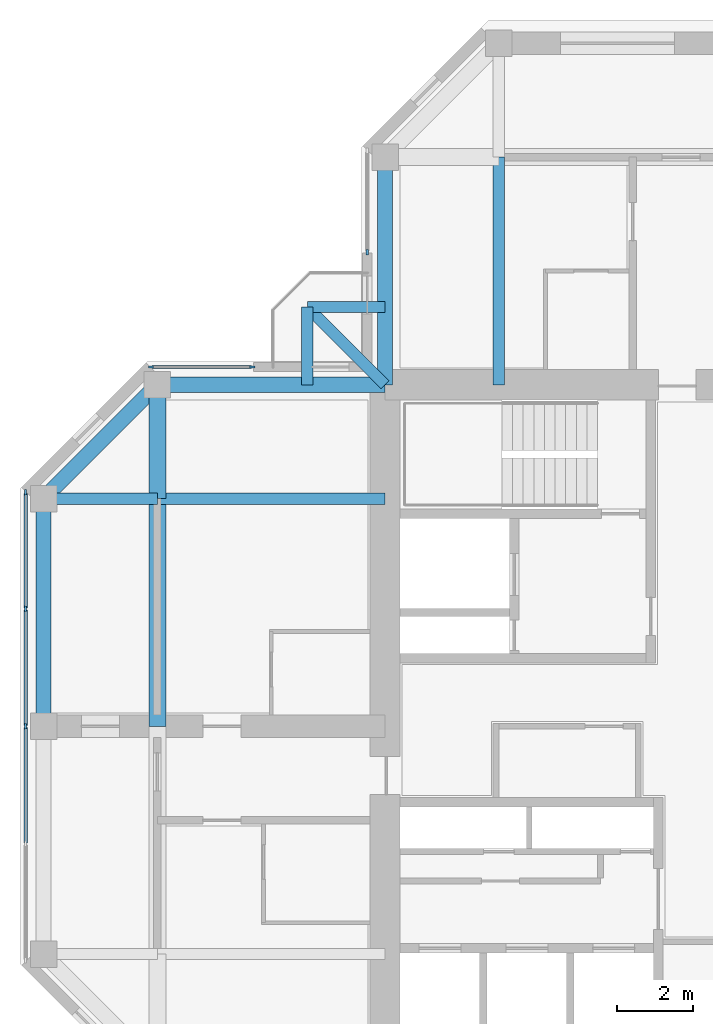
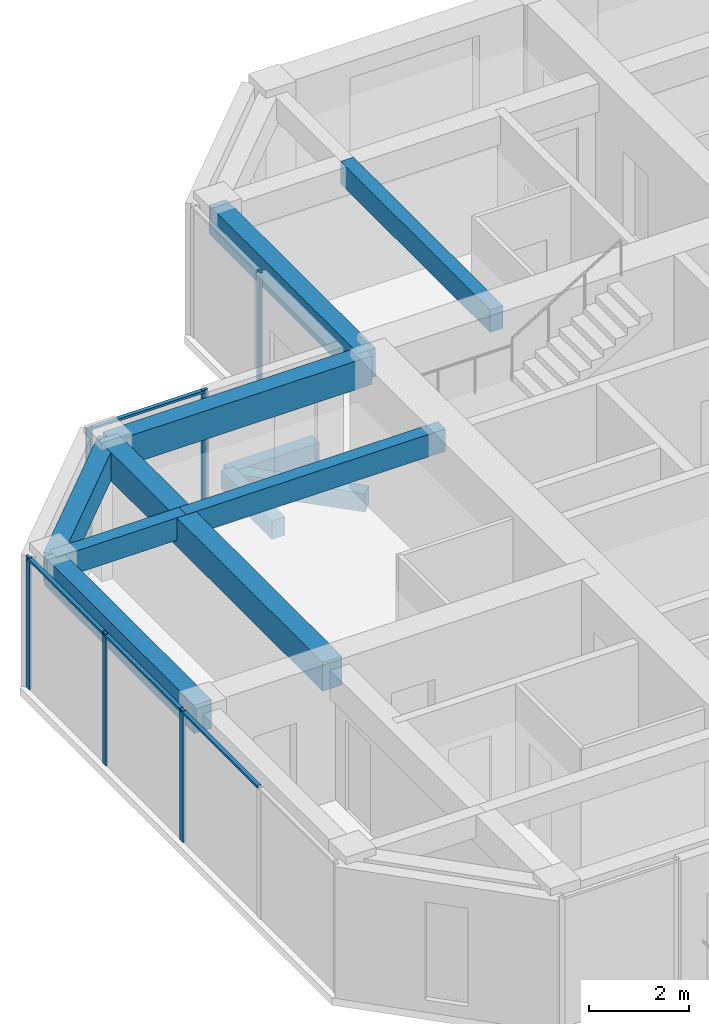
# One storey, part 4 of 13: 12 beams, 10 members, 3 elements without a shape of their own.
"""IFC4 building model written with IfcOpenShell, lengths in metres."""

import ifcopenshell
import ifcopenshell.guid

model = None  # the IFC model being written
_history = None  # IfcOwnerHistory: only IFC2X3 demands one
_inside = {}  # id of a spatial element -> (the spatial element, [elements in it])
_under = {}  # id of a project, library or spatial element -> (it, [spatial elements below it])
_declared = {}  # id of a project -> (the project, [libraries it declares])
_typed = {}  # id of a type object -> (the type object, [elements of that type])
_made_of = {}  # id of a material, layer set ... -> (it, [elements and type objects made of it])


def new_model(schema):
    """Start an empty IFC model of exactly this schema.

    Asked for "IFC4X3", IfcOpenShell would pick the latest addendum, in which some entities
    have other attributes; the version numbers below select the first issue.
    IFC2X3 requires an IfcOwnerHistory on every rooted entity: one is made here for all.
    """
    global model, _history
    if schema == "IFC4X3":
        model = ifcopenshell.file(schema_version=(4, 3, 0, 0))
    else:
        model = ifcopenshell.file(schema=schema)
    _inside.clear()
    _under.clear()
    _declared.clear()
    _typed.clear()
    _made_of.clear()
    _history = None
    if model.schema == "IFC2X3":
        org = make("IfcOrganization", Name="unknown")
        user = make(
            "IfcPersonAndOrganization",
            ThePerson=make("IfcPerson", FamilyName="unknown"),
            TheOrganization=org,
        )
        app = make(
            "IfcApplication",
            ApplicationDeveloper=org,
            Version="unknown",
            ApplicationFullName="unknown",
            ApplicationIdentifier="unknown",
        )
        _history = make(
            "IfcOwnerHistory",
            OwningUser=user,
            OwningApplication=app,
            ChangeAction="ADDED",
            CreationDate=0,
        )
    return model


def make(cls, **values):
    """One entity of the class cls with the attributes given. An attribute that is None is left unset."""
    return model.create_entity(
        cls, **{name: value for name, value in values.items() if value is not None}
    )


def rooted(cls, **values):
    """An entity with a GlobalId (a new one), such as an element, a storey or a relation."""
    return make(cls, GlobalId=ifcopenshell.guid.new(), OwnerHistory=_history, **values)


def si_unit(unit_type, name, prefix=None):
    """IfcSIUnit, for example si_unit("LENGTHUNIT", "METRE", prefix="MILLI")."""
    return make("IfcSIUnit", UnitType=unit_type, Prefix=prefix, Name=name)


def assignment(units):
    """IfcUnitAssignment: the units of a project."""
    return None if units is None else make("IfcUnitAssignment", Units=units)


def point(xyz):
    """IfcCartesianPoint."""
    return None if xyz is None else make("IfcCartesianPoint", Coordinates=xyz)


def direction(xyz):
    """IfcDirection."""
    return None if xyz is None else make("IfcDirection", DirectionRatios=xyz)


def frame(location, z_axis=None, x_axis=None):
    """IfcAxis2Placement3D, a coordinate frame: its origin and axes. An axis left out is left unset."""
    return make(
        "IfcAxis2Placement3D",
        Location=point(location),
        Axis=direction(z_axis),
        RefDirection=direction(x_axis),
    )


def frame_2d(location, x_axis=None):
    """IfcAxis2Placement2D, a coordinate frame in the plane: its origin and x axis."""
    return make(
        "IfcAxis2Placement2D", Location=point(location), RefDirection=direction(x_axis)
    )


def origin():
    """The frame at (0, 0, 0) with its axes left unset."""
    return frame((0.0, 0.0, 0.0))


def origin_2d():
    """The frame at (0, 0) in the plane with its x axis left unset."""
    return frame_2d((0.0, 0.0))


def place(relative_to, where):
    """IfcLocalPlacement: puts the frame where relative to a parent placement (None: the world)."""
    return make(
        "IfcLocalPlacement", PlacementRelTo=relative_to, RelativePlacement=where
    )


def context(
    kind, dimensions, precision=None, world=None, true_north=None, identifier=None
):
    """IfcGeometricRepresentationContext, for example the 3D "Model" context."""
    return make(
        "IfcGeometricRepresentationContext",
        ContextIdentifier=identifier,
        ContextType=kind,
        CoordinateSpaceDimension=dimensions,
        Precision=precision,
        WorldCoordinateSystem=world,
        TrueNorth=true_north,
    )


def subcontext(parent, identifier, kind, view, scale=None):
    """IfcGeometricRepresentationSubContext, for example "Body" below "Model"."""
    return make(
        "IfcGeometricRepresentationSubContext",
        ContextIdentifier=identifier,
        ContextType=kind,
        ParentContext=parent,
        TargetScale=scale,
        TargetView=view,
    )


def project(units=None, contexts=None):
    """IfcProject with its units and contexts."""
    return rooted(
        "IfcProject",
        Name="project",
        RepresentationContexts=contexts,
        UnitsInContext=assignment(units),
    )


def spatial(cls, under=None, at=None, **own):
    """A site, building, storey or space (cls), placed at a placement, below another one or the project."""
    s = rooted(cls, ObjectPlacement=at, **own)
    if under is not None:
        _under.setdefault(under.id(), (under, []))[1].append(s)
    return s


def profile(cls, at=None, kind="AREA", **sizes):
    """A parametric profile (cls). Its sizes go by their IFC names, for example OverallWidth=200.0."""
    return make(cls, ProfileType=kind, Position=at, **sizes)


def rectangle(**sizes):
    """IfcRectangleProfileDef."""
    return profile("IfcRectangleProfileDef", **sizes)


def extrude(swept, where, along, depth):
    """IfcExtrudedAreaSolid: the profile swept, set in the frame where, extruded along a direction by depth."""
    return make(
        "IfcExtrudedAreaSolid",
        SweptArea=swept,
        Position=where,
        ExtrudedDirection=direction(along),
        Depth=depth,
    )


def shape(context_of_items, identifier, shape_type, items):
    """IfcShapeRepresentation: the items that make up one representation, for example the "Body"."""
    return make(
        "IfcShapeRepresentation",
        ContextOfItems=context_of_items,
        RepresentationIdentifier=identifier,
        RepresentationType=shape_type,
        Items=items,
    )


def material(Name=None, Category=None):
    """IfcMaterial."""
    return make("IfcMaterial", Name=Name, Category=Category)


def material_profile(
    of_material, cross_section, Name=None, Category=None, Priority=None
):
    """IfcMaterialProfile: a cross section and its material."""
    return make(
        "IfcMaterialProfile",
        Name=Name,
        Material=of_material,
        Profile=cross_section,
        Priority=Priority,
        Category=Category,
    )


def profile_set(profiles, Name=None, composite=None):
    """IfcMaterialProfileSet."""
    return make(
        "IfcMaterialProfileSet",
        Name=Name,
        MaterialProfiles=profiles,
        CompositeProfile=composite,
    )


def made_of(thing, what):
    """Note that an element or type object is made of a material, layer set ...; save() writes the relation."""
    if what is not None:
        _made_of.setdefault(what.id(), (what, []))[1].append(thing)
    return thing


def type_object(cls, material=None, **own):
    """A type object (cls), such as IfcWallType, which elements share."""
    return made_of(rooted(cls, **own), material)


def element(
    cls,
    number,
    at=None,
    inside=None,
    cuts=None,
    type_object=None,
    material=None,
    context=None,
    identifier="Body",
    shape_type=None,
    held_by="IfcProductDefinitionShape",
    body=None,
    shapes=None,
    **own,
):
    """One element of the class cls, such as IfcWall. Its Tag is "e" and its number.

    at: its placement. inside: the storey or other place that contains it. cuts: it is an
    opening in that element (IfcRelVoidsElement). A single representation is given by context,
    identifier, shape_type and body (its items); several are given by shapes. held_by: the class
    of the entity that holds the representations. save() writes the other relations.
    """
    e = rooted(cls, Tag="e%d" % number, ObjectPlacement=at, **own)
    if body is not None:
        shapes = [shape(context, identifier, shape_type, body)]
    if shapes is not None:
        e.Representation = make(held_by, Representations=shapes)
    if inside is not None:
        _inside.setdefault(inside.id(), (inside, []))[1].append(e)
    if cuts is not None:
        rooted(
            "IfcRelVoidsElement", RelatingBuildingElement=cuts, RelatedOpeningElement=e
        )
    if type_object is not None:
        _typed.setdefault(type_object.id(), (type_object, []))[1].append(e)
    return made_of(e, material)


def aggregate(whole, parts):
    """IfcRelAggregates: a whole, such as a stair, and the parts it consists of."""
    return rooted("IfcRelAggregates", RelatingObject=whole, RelatedObjects=parts)


def save(model, path):
    """Write the relations noted so far, then the file.

    IfcRelAggregates (storeys below a building ...), IfcRelContainedInSpatialStructure (elements
    in a storey), IfcRelDefinesByType, IfcRelAssociatesMaterial and IfcRelDeclares: one each for
    every whole, place, type object, material and project.
    """
    for whole, parts in _under.values():
        aggregate(whole, parts)
    for where, things in _inside.values():
        rooted(
            "IfcRelContainedInSpatialStructure",
            RelatedElements=things,
            RelatingStructure=where,
        )
    for kind, things in _typed.values():
        rooted("IfcRelDefinesByType", RelatedObjects=things, RelatingType=kind)
    for what, things in _made_of.values():
        rooted("IfcRelAssociatesMaterial", RelatedObjects=things, RelatingMaterial=what)
    for by, libraries in _declared.values():
        rooted("IfcRelDeclares", RelatingContext=by, RelatedDefinitions=libraries)
    model.write(path)


model = new_model("IFC4")

# Units and contexts
model_context = context("Model", 3, precision=1e-05, world=origin(), true_north=direction((0.0, 1.0)))
body_context = subcontext(model_context, "Body", "Model", "MODEL_VIEW")
ifc_project = project(units=[si_unit("LENGTHUNIT", "METRE"), si_unit("AREAUNIT", "SQUARE_METRE"), si_unit("VOLUMEUNIT", "CUBIC_METRE"), si_unit("PLANEANGLEUNIT", "RADIAN"), si_unit("MASSUNIT", "GRAM", prefix="KILO")], contexts=[model_context])

# Site, building, storey
site_placement = place(None, origin())
site = spatial("IfcSite", under=ifc_project, at=site_placement, CompositionType="ELEMENT")
building_placement = place(site_placement, origin())
building = spatial("IfcBuilding", under=site, at=building_placement, Name="Torre Cruceta", CompositionType="ELEMENT")
storey_placement = place(building_placement, frame((0.0, 0.0, 271.300048828125)))
storey = spatial("IfcBuildingStorey", under=building, at=storey_placement, Name="L70", CompositionType="ELEMENT", Elevation=271.300048828125)

# Beams
ifc_material_1 = material(Name="Concrete G60 (fck 60 MPa)", Category="concrete")
ifc_material_profile_1 = material_profile(ifc_material_1, rectangle(XDim=0.300048828125, YDim=0.449951171875, at=origin_2d()), Name="RC 300X450")
ifc_profile_set_1 = profile_set([ifc_material_profile_1], Name="Concrete G60 (fck 60 MPa)")
beam_type_1 = type_object("IfcBeamType", Name="BALCONY CANTILEVER BEAM RC 300X450", PredefinedType="BEAM", material=ifc_profile_set_1)
beam_1_placement = place(storey_placement, frame((-9.0, 9.0, -0.405029296875), z_axis=(-0.707106781187, 0.707106781187, 0.0), x_axis=(-0.707106781187, -0.707106781187, 0.0)))
element("IfcBeam", 1, at=beam_1_placement, inside=storey, type_object=beam_type_1, Name="BB1 balcony beam L70 N", PredefinedType="BEAM", context=body_context, shape_type="SweptSolid", body=[
    extrude(rectangle(XDim=0.300048828125, YDim=0.449951171875, at=origin_2d()), origin(), (0.0, 0.0, 1.0), 2.89990234375),
])
for number, where, z_axis, x_axis, name in (
    (2, (-11.050537109375, 9.0, -0.405029296875), (0.0, 1.0, 0.0), (-1.0, 0.0, 0.0), "BB1 balcony edge beam L70 N-X"),
    (3, (-9.0, 11.050537109375, -0.405029296875), (-1.0, 0.0, 0.0), (0.0, -1.0, 0.0), "BB1 balcony edge beam L70 N-Y"),
):
    element("IfcBeam", number, at=place(storey_placement, frame(where, z_axis=z_axis, x_axis=x_axis)), inside=storey, type_object=beam_type_1, Name=name, PredefinedType="BEAM", context=body_context, shape_type="SweptSolid", body=[
        extrude(rectangle(XDim=0.300048828125, YDim=0.449951171875, at=origin_2d()), origin(), (0.0, 0.0, 1.0), 2.050537109375),
    ])
ifc_material_2 = material(Name="Concrete G60 (fck 60 MPa)", Category="concrete")
ifc_material_profile_2 = material_profile(ifc_material_2, rectangle(XDim=0.300048828125, YDim=0.550048828125, at=origin_2d()), Name="RC 300X550")
ifc_profile_set_2 = profile_set([ifc_material_profile_2], Name="Concrete G60 (fck 60 MPa)")
beam_type_2 = type_object("IfcBeamType", Name="COLUMN LINE BEAM RC 300X550", PredefinedType="BEAM", material=ifc_profile_set_2)
for number, where, z_axis, x_axis, name in (
    (4, (-6.0, 9.0, 2.945068359375), (0.0, 1.0, 0.0), (-1.0, 0.0, 0.0), "LB10 L70 N col+ 1"),
    (5, (-9.0, 6.0, 2.945068359375), (-1.0, 0.0, 0.0), (0.0, -1.0, 0.0), "LB10 L70 W col- 1"),
):
    element("IfcBeam", number, at=place(storey_placement, frame(where, z_axis=z_axis, x_axis=x_axis)), inside=storey, type_object=beam_type_2, Name=name, PredefinedType="BEAM", context=body_context, shape_type="SweptSolid", body=[
        extrude(rectangle(XDim=0.300048828125, YDim=0.550048828125, at=origin_2d()), origin(), (0.0, 0.0, 1.0), 6.0),
    ])
beam_2_placement = place(storey_placement, frame((-15.0, 6.0, 2.945068359375), z_axis=(-1.0, 0.0, 0.0), x_axis=(0.0, -1.0, 0.0)))
element("IfcBeam", 6, at=beam_2_placement, inside=storey, type_object=beam_type_2, Name="LB10 L70 W col- 2", PredefinedType="BEAM", context=body_context, shape_type="SweptSolid", body=[
    extrude(rectangle(XDim=0.300048828125, YDim=0.550048828125, at=origin_2d()), origin(), (0.0, 0.0, 1.0), 3.0),
])
ifc_material_3 = material(Name="Concrete G60 (fck 60 MPa)", Category="concrete")
ifc_material_profile_3 = material_profile(ifc_material_3, rectangle(XDim=0.449951171875, YDim=0.699951171875, at=origin_2d()), Name="RC 450X700")
ifc_profile_set_3 = profile_set([ifc_material_profile_3], Name="Concrete G60 (fck 60 MPa)")
beam_type_3 = type_object("IfcBeamType", Name="CROSS BEAM RC 450X700", PredefinedType="BEAM", material=ifc_profile_set_3)
beam_3_placement = place(storey_placement, frame((-15.0, 9.0, 2.869873046875), z_axis=(0.0, -1.0, 0.0), x_axis=(1.0, 0.0, 0.0)))
element("IfcBeam", 7, at=beam_3_placement, inside=storey, type_object=beam_type_3, Name="GB8 L70 W cross15 1", PredefinedType="BEAM", context=body_context, shape_type="SweptSolid", body=[
    extrude(rectangle(XDim=0.449951171875, YDim=0.699951171875, at=origin_2d()), origin(), (0.0, 0.0, 1.0), 3.0),
])
beam_4_placement = place(storey_placement, frame((-15.0, 6.0, 2.869873046875), z_axis=(0.0, -1.0, 0.0), x_axis=(1.0, 0.0, 0.0)))
element("IfcBeam", 8, at=beam_4_placement, inside=storey, type_object=beam_type_3, Name="GB8 L70 W cross15 2", PredefinedType="BEAM", context=body_context, shape_type="SweptSolid", body=[
    extrude(rectangle(XDim=0.449951171875, YDim=0.699951171875, at=origin_2d()), origin(), (0.0, 0.0, 1.0), 6.0),
])

# Curtain wall, member
ifc_material_4 = material(Name="Aluminium unitised curtain wall", Category="aluminium")
curtain_wall_type = type_object("IfcCurtainWallType", Name="CURTAIN WALL CW-E CO-LIVING TOP", PredefinedType="USERDEFINED", material=ifc_material_4)
curtain_wall_1_placement = place(storey_placement, origin())
curtain_wall_1 = element("IfcCurtainWall", 9, at=curtain_wall_1_placement, inside=storey, type_object=curtain_wall_type, Name="CW-E L70 N side 09", ObjectType="UNITISED", PredefinedType="USERDEFINED")
ifc_material_5 = material(Name="Aluminium mullion", Category="aluminium")
ifc_material_profile_4 = material_profile(ifc_material_5, rectangle(XDim=0.054931640625, YDim=0.139892578125, at=origin_2d()), Name="AL 55X140")
ifc_profile_set_4 = profile_set([ifc_material_profile_4], Name="Aluminium mullion")
member_type_1 = type_object("IfcMemberType", Name="CW-E MULLION 55X140", PredefinedType="MULLION", material=ifc_profile_set_4)
member_1_placement = place(storey_placement, frame((-9.469970703125, 12.49755859375, 0.0), z_axis=(0.0, 0.0, 1.0), x_axis=(1.0, 0.0, 0.0)))
member_1 = element("IfcMember", 10, at=member_1_placement, type_object=member_type_1, Name="CW-E mullion 2", PredefinedType="MULLION", context=body_context, shape_type="SweptSolid", body=[
    extrude(rectangle(XDim=0.054931640625, YDim=0.139892578125, at=origin_2d()), origin(), (0.0, 0.0, 1.0), 3.219970703125),
])
aggregate(curtain_wall_1, [member_1])

# Curtain wall, members
curtain_wall_2_placement = place(storey_placement, origin())
curtain_wall_2 = element("IfcCurtainWall", 11, at=curtain_wall_2_placement, inside=storey, type_object=curtain_wall_type, Name="CW-E L70 W side 10", ObjectType="UNITISED", PredefinedType="USERDEFINED")
member_2_placement = place(storey_placement, frame((-12.49755859375, 9.469970703125, 0.0), z_axis=(0.0, 0.0, 1.0), x_axis=(0.0, -1.0, 0.0)))
member_2 = element("IfcMember", 12, at=member_2_placement, type_object=member_type_1, Name="CW-E mullion 1", PredefinedType="MULLION", context=body_context, shape_type="SweptSolid", body=[
    extrude(rectangle(XDim=0.054931640625, YDim=0.139892578125, at=origin_2d()), origin(), (0.0, 0.0, 1.0), 3.219970703125),
])
member_3_placement = place(storey_placement, frame((-15.167236328125, 9.469970703125, 0.0), z_axis=(0.0, 0.0, 1.0), x_axis=(0.0, -1.0, 0.0)))
member_3 = element("IfcMember", 13, at=member_3_placement, type_object=member_type_1, Name="CW-E mullion 2", PredefinedType="MULLION", context=body_context, shape_type="SweptSolid", body=[
    extrude(rectangle(XDim=0.054931640625, YDim=0.139892578125, at=origin_2d()), origin(), (0.0, 0.0, 1.0), 3.219970703125),
])

curtain_wall_3_placement = place(storey_placement, origin())
curtain_wall_3 = element("IfcCurtainWall", 14, at=curtain_wall_3_placement, inside=storey, type_object=curtain_wall_type, Name="CW-E L70 W tip 12", ObjectType="UNITISED", PredefinedType="USERDEFINED")
member_4_placement = place(storey_placement, frame((-18.469970703125, 6.167236328125, 0.0), z_axis=(0.0, 0.0, 1.0), x_axis=(1.0, 0.0, 0.0)))
member_4 = element("IfcMember", 15, at=member_4_placement, type_object=member_type_1, Name="CW-E mullion 1", PredefinedType="MULLION", context=body_context, shape_type="SweptSolid", body=[
    extrude(rectangle(XDim=0.054931640625, YDim=0.139892578125, at=origin_2d()), origin(), (0.0, 0.0, 1.0), 3.219970703125),
])
member_5_placement = place(storey_placement, frame((-18.469970703125, 3.097412109375, 0.0), z_axis=(0.0, 0.0, 1.0), x_axis=(1.0, 0.0, 0.0)))
member_5 = element("IfcMember", 16, at=member_5_placement, type_object=member_type_1, Name="CW-E mullion 2", PredefinedType="MULLION", context=body_context, shape_type="SweptSolid", body=[
    extrude(rectangle(XDim=0.054931640625, YDim=0.139892578125, at=origin_2d()), origin(), (0.0, 0.0, 1.0), 3.219970703125),
])
member_6_placement = place(storey_placement, frame((-18.469970703125, 0.0, 0.0), z_axis=(0.0, 0.0, 1.0), x_axis=(1.0, 0.0, 0.0)))
member_6 = element("IfcMember", 17, at=member_6_placement, type_object=member_type_1, Name="CW-E mullion 3", PredefinedType="MULLION", context=body_context, shape_type="SweptSolid", body=[
    extrude(rectangle(XDim=0.054931640625, YDim=0.139892578125, at=origin_2d()), origin(), (0.0, 0.0, 1.0), 3.219970703125),
])

# Member
ifc_material_6 = material(Name="Aluminium transom", Category="aluminium")
ifc_material_profile_5 = material_profile(ifc_material_6, rectangle(XDim=0.090087890625, YDim=0.054931640625, at=origin_2d()), Name="AL 90X55")
ifc_profile_set_5 = profile_set([ifc_material_profile_5], Name="Aluminium transom")
member_type_2 = type_object("IfcMemberType", Name="CW-E TRANSOM 55X90", PredefinedType="USERDEFINED", material=ifc_profile_set_5)
member_7_placement = place(storey_placement, frame((-12.52490234375, 9.469970703125, 3.1923828125), z_axis=(-1.0, 0.0, 0.0), x_axis=(0.0, -1.0, 0.0)))
member_7 = element("IfcMember", 18, at=member_7_placement, type_object=member_type_2, Name="CW-E transom 1", ObjectType="TRANSOM", PredefinedType="USERDEFINED", context=body_context, shape_type="SweptSolid", body=[
    extrude(rectangle(XDim=0.090087890625, YDim=0.054931640625, at=origin_2d()), origin(), (0.0, 0.0, 1.0), 2.61474609375),
])

aggregate(curtain_wall_2, [member_2, member_3, member_7])

member_8_placement = place(storey_placement, frame((-18.469970703125, 6.1396484375, 3.1923828125), z_axis=(0.0, -1.0, 0.0), x_axis=(1.0, 0.0, 0.0)))
member_8 = element("IfcMember", 19, at=member_8_placement, type_object=member_type_2, Name="CW-E transom 1", ObjectType="TRANSOM", PredefinedType="USERDEFINED", context=body_context, shape_type="SweptSolid", body=[
    extrude(rectangle(XDim=0.090087890625, YDim=0.054931640625, at=origin_2d()), origin(), (0.0, 0.0, 1.0), 3.014892578125),
])

member_9_placement = place(storey_placement, frame((-18.469970703125, 3.06982421875, 3.1923828125), z_axis=(0.0, -1.0, 0.0), x_axis=(1.0, 0.0, 0.0)))
member_9 = element("IfcMember", 20, at=member_9_placement, type_object=member_type_2, Name="CW-E transom 2", ObjectType="TRANSOM", PredefinedType="USERDEFINED", context=body_context, shape_type="SweptSolid", body=[
    extrude(rectangle(XDim=0.090087890625, YDim=0.054931640625, at=origin_2d()), origin(), (0.0, 0.0, 1.0), 3.042236328125),
])

member_10_placement = place(storey_placement, frame((-18.469970703125, -0.027587890625, 3.1923828125), z_axis=(0.0, -1.0, 0.0), x_axis=(1.0, 0.0, 0.0)))
member_10 = element("IfcMember", 21, at=member_10_placement, type_object=member_type_2, Name="CW-E transom 3", ObjectType="TRANSOM", PredefinedType="USERDEFINED", context=body_context, shape_type="SweptSolid", body=[
    extrude(rectangle(XDim=0.090087890625, YDim=0.054931640625, at=origin_2d()), origin(), (0.0, 0.0, 1.0), 3.042236328125),
])

aggregate(curtain_wall_3, [member_4, member_5, member_6, member_8, member_9, member_10])

# Beams
ifc_material_7 = material(Name="Concrete G60 (fck 60 MPa)", Category="concrete")
ifc_material_profile_6 = material_profile(ifc_material_7, rectangle(XDim=0.39990234375, YDim=0.699951171875, at=origin_2d()), Name="RC 400X700")
ifc_profile_set_6 = profile_set([ifc_material_profile_6], Name="Concrete G60 (fck 60 MPa)")
beam_type_4 = type_object("IfcBeamType", Name="SPANDREL BEAM RC 400X700", PredefinedType="SPANDREL", material=ifc_profile_set_6)
for number, where, z_axis, x_axis, name in (
    (22, (-9.0, 9.0, 2.869873046875), (0.0, 1.0, 0.0), (-1.0, 0.0, 0.0), "SB8 L70 N side+ 1"),
    (23, (-9.0, 9.0, 2.869873046875), (-1.0, 0.0, 0.0), (0.0, -1.0, 0.0), "SB8 L70 W side- 1"),
):
    element("IfcBeam", number, at=place(storey_placement, frame(where, z_axis=z_axis, x_axis=x_axis)), inside=storey, type_object=beam_type_4, Name=name, PredefinedType="SPANDREL", context=body_context, shape_type="SweptSolid", body=[
        extrude(rectangle(XDim=0.39990234375, YDim=0.699951171875, at=origin_2d()), origin(), (0.0, 0.0, 1.0), 6.0),
    ])
beam_5_placement = place(storey_placement, frame((-15.0, 9.0, 2.869873046875), z_axis=(-0.707106781187, -0.707106781187, 0.0), x_axis=(0.707106781187, -0.707106781187, 0.0)))
element("IfcBeam", 24, at=beam_5_placement, inside=storey, type_object=beam_type_4, Name="SB8 L70 W side- 2", PredefinedType="SPANDREL", context=body_context, shape_type="SweptSolid", body=[
    extrude(rectangle(XDim=0.39990234375, YDim=0.699951171875, at=origin_2d()), origin(), (0.0, 0.0, 1.0), 4.24267578125),
])
beam_6_placement = place(storey_placement, frame((-18.0, 6.0, 2.869873046875), z_axis=(0.0, -1.0, 0.0), x_axis=(1.0, 0.0, 0.0)))
element("IfcBeam", 25, at=beam_6_placement, inside=storey, type_object=beam_type_4, Name="SB8 L70 W tip 1", PredefinedType="SPANDREL", context=body_context, shape_type="SweptSolid", body=[
    extrude(rectangle(XDim=0.39990234375, YDim=0.699951171875, at=origin_2d()), origin(), (0.0, 0.0, 1.0), 6.0),
])

save(model, "model.ifc")
